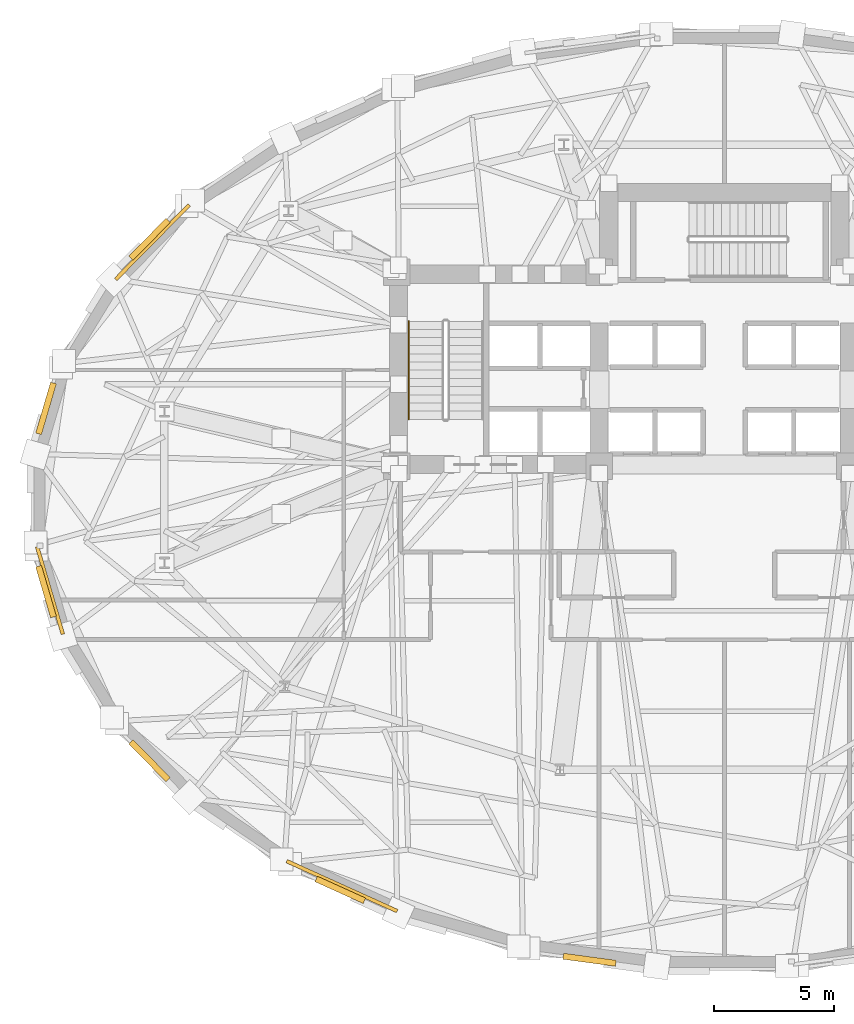
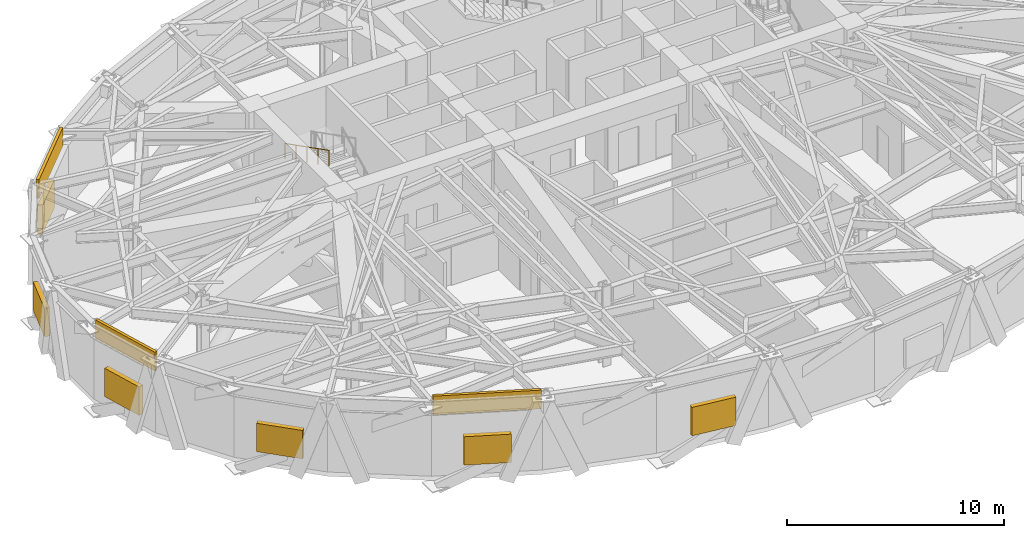
# One storey, part 11 of 14: 6 shading devices, 3 coverings, 1 railing.
"""IFC4 building model written with IfcOpenShell, lengths in metres."""

import ifcopenshell
import ifcopenshell.guid

model = None  # the IFC model being written
_history = None  # IfcOwnerHistory: only IFC2X3 demands one
_inside = {}  # id of a spatial element -> (the spatial element, [elements in it])
_under = {}  # id of a project, library or spatial element -> (it, [spatial elements below it])
_declared = {}  # id of a project -> (the project, [libraries it declares])
_typed = {}  # id of a type object -> (the type object, [elements of that type])
_made_of = {}  # id of a material, layer set ... -> (it, [elements and type objects made of it])


def new_model(schema):
    """Start an empty IFC model of exactly this schema.

    Asked for "IFC4X3", IfcOpenShell would pick the latest addendum, in which some entities
    have other attributes; the version numbers below select the first issue.
    IFC2X3 requires an IfcOwnerHistory on every rooted entity: one is made here for all.
    """
    global model, _history
    if schema == "IFC4X3":
        model = ifcopenshell.file(schema_version=(4, 3, 0, 0))
    else:
        model = ifcopenshell.file(schema=schema)
    _inside.clear()
    _under.clear()
    _declared.clear()
    _typed.clear()
    _made_of.clear()
    _history = None
    if model.schema == "IFC2X3":
        org = make("IfcOrganization", Name="unknown")
        user = make(
            "IfcPersonAndOrganization",
            ThePerson=make("IfcPerson", FamilyName="unknown"),
            TheOrganization=org,
        )
        app = make(
            "IfcApplication",
            ApplicationDeveloper=org,
            Version="unknown",
            ApplicationFullName="unknown",
            ApplicationIdentifier="unknown",
        )
        _history = make(
            "IfcOwnerHistory",
            OwningUser=user,
            OwningApplication=app,
            ChangeAction="ADDED",
            CreationDate=0,
        )
    return model


def make(cls, **values):
    """One entity of the class cls with the attributes given. An attribute that is None is left unset."""
    return model.create_entity(
        cls, **{name: value for name, value in values.items() if value is not None}
    )


def rooted(cls, **values):
    """An entity with a GlobalId (a new one), such as an element, a storey or a relation."""
    return make(cls, GlobalId=ifcopenshell.guid.new(), OwnerHistory=_history, **values)


def si_unit(unit_type, name, prefix=None):
    """IfcSIUnit, for example si_unit("LENGTHUNIT", "METRE", prefix="MILLI")."""
    return make("IfcSIUnit", UnitType=unit_type, Prefix=prefix, Name=name)


def assignment(units):
    """IfcUnitAssignment: the units of a project."""
    return None if units is None else make("IfcUnitAssignment", Units=units)


def point(xyz):
    """IfcCartesianPoint."""
    return None if xyz is None else make("IfcCartesianPoint", Coordinates=xyz)


def direction(xyz):
    """IfcDirection."""
    return None if xyz is None else make("IfcDirection", DirectionRatios=xyz)


def frame(location, z_axis=None, x_axis=None):
    """IfcAxis2Placement3D, a coordinate frame: its origin and axes. An axis left out is left unset."""
    return make(
        "IfcAxis2Placement3D",
        Location=point(location),
        Axis=direction(z_axis),
        RefDirection=direction(x_axis),
    )


def frame_2d(location, x_axis=None):
    """IfcAxis2Placement2D, a coordinate frame in the plane: its origin and x axis."""
    return make(
        "IfcAxis2Placement2D", Location=point(location), RefDirection=direction(x_axis)
    )


def origin():
    """The frame at (0, 0, 0) with its axes left unset."""
    return frame((0.0, 0.0, 0.0))


def origin_2d():
    """The frame at (0, 0) in the plane with its x axis left unset."""
    return frame_2d((0.0, 0.0))


def place(relative_to, where):
    """IfcLocalPlacement: puts the frame where relative to a parent placement (None: the world)."""
    return make(
        "IfcLocalPlacement", PlacementRelTo=relative_to, RelativePlacement=where
    )


def context(
    kind, dimensions, precision=None, world=None, true_north=None, identifier=None
):
    """IfcGeometricRepresentationContext, for example the 3D "Model" context."""
    return make(
        "IfcGeometricRepresentationContext",
        ContextIdentifier=identifier,
        ContextType=kind,
        CoordinateSpaceDimension=dimensions,
        Precision=precision,
        WorldCoordinateSystem=world,
        TrueNorth=true_north,
    )


def subcontext(parent, identifier, kind, view, scale=None):
    """IfcGeometricRepresentationSubContext, for example "Body" below "Model"."""
    return make(
        "IfcGeometricRepresentationSubContext",
        ContextIdentifier=identifier,
        ContextType=kind,
        ParentContext=parent,
        TargetScale=scale,
        TargetView=view,
    )


def project(units=None, contexts=None):
    """IfcProject with its units and contexts."""
    return rooted(
        "IfcProject",
        Name="project",
        RepresentationContexts=contexts,
        UnitsInContext=assignment(units),
    )


def spatial(cls, under=None, at=None, **own):
    """A site, building, storey or space (cls), placed at a placement, below another one or the project."""
    s = rooted(cls, ObjectPlacement=at, **own)
    if under is not None:
        _under.setdefault(under.id(), (under, []))[1].append(s)
    return s


def profile(cls, at=None, kind="AREA", **sizes):
    """A parametric profile (cls). Its sizes go by their IFC names, for example OverallWidth=200.0."""
    return make(cls, ProfileType=kind, Position=at, **sizes)


def rectangle(**sizes):
    """IfcRectangleProfileDef."""
    return profile("IfcRectangleProfileDef", **sizes)


def circle(**sizes):
    """IfcCircleProfileDef."""
    return profile("IfcCircleProfileDef", **sizes)


def extrude(swept, where, along, depth):
    """IfcExtrudedAreaSolid: the profile swept, set in the frame where, extruded along a direction by depth."""
    return make(
        "IfcExtrudedAreaSolid",
        SweptArea=swept,
        Position=where,
        ExtrudedDirection=direction(along),
        Depth=depth,
    )


def shape(context_of_items, identifier, shape_type, items):
    """IfcShapeRepresentation: the items that make up one representation, for example the "Body"."""
    return make(
        "IfcShapeRepresentation",
        ContextOfItems=context_of_items,
        RepresentationIdentifier=identifier,
        RepresentationType=shape_type,
        Items=items,
    )


def material(Name=None, Category=None):
    """IfcMaterial."""
    return make("IfcMaterial", Name=Name, Category=Category)


def layer(
    of_material, thickness, ventilated=None, Name=None, Category=None, Priority=None
):
    """IfcMaterialLayer: one layer of a wall or slab, of a material (None: an air gap)."""
    return make(
        "IfcMaterialLayer",
        Material=of_material,
        LayerThickness=thickness,
        IsVentilated=ventilated,
        Name=Name,
        Category=Category,
        Priority=Priority,
    )


def layer_set(layers, Name=None):
    """IfcMaterialLayerSet."""
    return make("IfcMaterialLayerSet", MaterialLayers=layers, LayerSetName=Name)


def made_of(thing, what):
    """Note that an element or type object is made of a material, layer set ...; save() writes the relation."""
    if what is not None:
        _made_of.setdefault(what.id(), (what, []))[1].append(thing)
    return thing


def type_object(cls, material=None, **own):
    """A type object (cls), such as IfcWallType, which elements share."""
    return made_of(rooted(cls, **own), material)


def element(
    cls,
    number,
    at=None,
    inside=None,
    cuts=None,
    type_object=None,
    material=None,
    context=None,
    identifier="Body",
    shape_type=None,
    held_by="IfcProductDefinitionShape",
    body=None,
    shapes=None,
    **own,
):
    """One element of the class cls, such as IfcWall. Its Tag is "e" and its number.

    at: its placement. inside: the storey or other place that contains it. cuts: it is an
    opening in that element (IfcRelVoidsElement). A single representation is given by context,
    identifier, shape_type and body (its items); several are given by shapes. held_by: the class
    of the entity that holds the representations. save() writes the other relations.
    """
    e = rooted(cls, Tag="e%d" % number, ObjectPlacement=at, **own)
    if body is not None:
        shapes = [shape(context, identifier, shape_type, body)]
    if shapes is not None:
        e.Representation = make(held_by, Representations=shapes)
    if inside is not None:
        _inside.setdefault(inside.id(), (inside, []))[1].append(e)
    if cuts is not None:
        rooted(
            "IfcRelVoidsElement", RelatingBuildingElement=cuts, RelatedOpeningElement=e
        )
    if type_object is not None:
        _typed.setdefault(type_object.id(), (type_object, []))[1].append(e)
    return made_of(e, material)


def aggregate(whole, parts):
    """IfcRelAggregates: a whole, such as a stair, and the parts it consists of."""
    return rooted("IfcRelAggregates", RelatingObject=whole, RelatedObjects=parts)


def save(model, path):
    """Write the relations noted so far, then the file.

    IfcRelAggregates (storeys below a building ...), IfcRelContainedInSpatialStructure (elements
    in a storey), IfcRelDefinesByType, IfcRelAssociatesMaterial and IfcRelDeclares: one each for
    every whole, place, type object, material and project.
    """
    for whole, parts in _under.values():
        aggregate(whole, parts)
    for where, things in _inside.values():
        rooted(
            "IfcRelContainedInSpatialStructure",
            RelatedElements=things,
            RelatingStructure=where,
        )
    for kind, things in _typed.values():
        rooted("IfcRelDefinesByType", RelatedObjects=things, RelatingType=kind)
    for what, things in _made_of.values():
        rooted("IfcRelAssociatesMaterial", RelatedObjects=things, RelatingMaterial=what)
    for by, libraries in _declared.values():
        rooted("IfcRelDeclares", RelatingContext=by, RelatedDefinitions=libraries)
    model.write(path)


model = new_model("IFC4")

# Units and contexts
model_context = context("Model", 3, precision=1e-05, world=origin(), true_north=direction((0.0, 1.0)))
body_context = subcontext(model_context, "Body", "Model", "MODEL_VIEW")
ifc_project = project(units=[si_unit("LENGTHUNIT", "METRE"), si_unit("AREAUNIT", "SQUARE_METRE"), si_unit("VOLUMEUNIT", "CUBIC_METRE"), si_unit("PLANEANGLEUNIT", "RADIAN"), si_unit("MASSUNIT", "GRAM", prefix="KILO")], contexts=[model_context])

# Site, building, storey
site_placement = place(None, origin())
site = spatial("IfcSite", under=ifc_project, at=site_placement, CompositionType="ELEMENT")
building_placement = place(site_placement, origin())
building = spatial("IfcBuilding", under=site, at=building_placement, Name="Keldmark Tower", CompositionType="ELEMENT")
storey_placement = place(building_placement, frame((0.0, 0.0, 77.39990234375)))
storey = spatial("IfcBuildingStorey", under=building, at=storey_placement, Name="L20", CompositionType="ELEMENT", Elevation=77.39990234375)

# Coverings
ifc_material_1 = material(Name="Honed Kasota Buff Dolomitic Limestone", Category="masonry")
ifc_layer = layer(ifc_material_1, 0.074951171875)
ifc_layer_set = layer_set([ifc_layer], Name="Honed Kasota Buff Dolomitic Limestone")
covering_type = type_object("IfcCoveringType", Name="Kasota Buff Limestone Spandrel Cladding Band", PredefinedType="CLADDING", material=ifc_layer_set)
covering_1_placement = place(storey_placement, frame((-23.752685546875, 10.704345703125, 3.422119140625), z_axis=(0.0, 0.0, 1.0), x_axis=(-0.70240155419, -0.711780904964, 0.0)))
element("IfcCovering", 1, at=covering_1_placement, inside=storey, type_object=covering_type, Name="L20 Kasota Limestone Spandrel Band 13", PredefinedType="CLADDING", context=body_context, shape_type="SweptSolid", body=[
    extrude(rectangle(XDim=4.345458984375, YDim=0.14990234375, at=origin_2d()), origin(), (0.0, 0.0, 1.0), 1.05810546875),
])
covering_2_placement = place(storey_placement, frame((-28.0048828125, -3.7548828125, 3.422119140625), z_axis=(0.0, 0.0, 1.0), x_axis=(0.281855868263, -0.959456757507, 0.0)))
element("IfcCovering", 2, at=covering_2_placement, inside=storey, type_object=covering_type, Name="L20 Kasota Limestone Spandrel Band 17", PredefinedType="CLADDING", context=body_context, shape_type="SweptSolid", body=[
    extrude(rectangle(XDim=3.78759765625, YDim=0.14990234375, at=origin_2d()), origin(), (0.0, 0.0, 1.0), 1.05810546875),
])
covering_3_placement = place(storey_placement, frame((-15.8779296875, -16.035400390625, 3.422119140625), z_axis=(0.0, 0.0, 1.0), x_axis=(0.911094181936, -0.412198243134, 0.0)))
element("IfcCovering", 3, at=covering_3_placement, inside=storey, type_object=covering_type, Name="L20 Kasota Limestone Spandrel Band 21", PredefinedType="CLADDING", context=body_context, shape_type="SweptSolid", body=[
    extrude(rectangle(XDim=5.032470703125, YDim=0.14990234375, at=origin_2d()), origin(), (0.0, 0.0, 1.0), 1.05810546875),
])

# Shading devices
ifc_material_2 = material(Name="Fluoropolymer-Coated Extruded Aluminum Stormproof Blades", Category="aluminium")
shading_device_type = type_object("IfcShadingDeviceType", Name="Mechanical Floor Acoustic Intake Louvre", PredefinedType="JALOUSIE", material=ifc_material_2)
for number, where, z_axis, x_axis, name in (
    (4, (-23.873779296875, 10.823486328125, 0.650146484375), (0.0, 0.0, 1.0), (-0.70240155419, -0.711780904964, 0.0), "L20 Acoustic Stormproof Louvre 13"),
    (5, (-28.168212890625, 3.802978515625, 0.650146484375), (0.0, 0.0, 1.0), (-0.281855868263, -0.959456757507, 0.0), "L20 Acoustic Stormproof Louvre 15"),
    (6, (-28.168212890625, -3.802978515625, 0.650146484375), (0.0, 0.0, 1.0), (0.281855868263, -0.959456757507, 0.0), "L20 Acoustic Stormproof Louvre 17"),
    (7, (-23.873779296875, -10.823486328125, 0.650146484375), (0.0, 0.0, 1.0), (0.70240155419, -0.711780904964, 0.0), "L20 Acoustic Stormproof Louvre 19"),
    (8, (-15.947998046875, -16.190185546875, 0.650146484375), (0.0, 0.0, 1.0), (0.911094181936, -0.412198243134, 0.0), "L20 Acoustic Stormproof Louvre 21"),
    (9, (-5.599609375, -19.0927734375, 0.650146484375), (0.0, 0.0, 1.0), (0.991050889278, -0.133484586607, 0.0), "L20 Acoustic Stormproof Louvre 23"),
):
    element("IfcShadingDevice", number, at=place(storey_placement, frame(where, z_axis=z_axis, x_axis=x_axis)), inside=storey, type_object=shading_device_type, Name=name, PredefinedType="JALOUSIE", context=body_context, shape_type="SweptSolid", body=[
        extrude(rectangle(XDim=2.199951171875, YDim=0.25, at=origin_2d()), origin(), (0.0, 0.0, 1.0), 1.60009765625),
    ])

# Railing
ifc_material_3 = material(Name="Stainless Steel AISI 316L", Category="steel")
railing_type = type_object("IfcRailingType", Name="Stainless Steel Stair Handrail 900 mm", PredefinedType="HANDRAIL", material=ifc_material_3)
railing_placement = place(storey_placement, frame((-13.10009765625, 7.429931640625, 2.423095703125)))
element("IfcRailing", 10, at=railing_placement, inside=storey, type_object=railing_type, Name="L20 ST1 stair handrail 2", PredefinedType="HANDRAIL", context=body_context, shape_type="SweptSolid", body=[
    extrude(circle(Radius=0.02392578125, at=origin_2d()), frame((0.0, 0.0, 0.8759765625), z_axis=(0.0, -0.891172131844, 0.453665329759), x_axis=(1.0, 0.0, 0.0)), (0.0, 0.0, 1.0), 4.578125),
    extrude(circle(Radius=0.02099609375, at=origin_2d()), origin(), (0.0, 0.0, 1.0), 0.851806640625),
    extrude(circle(Radius=0.02099609375, at=origin_2d()), frame((0.0, -1.02001953125, 0.519287109375)), (0.0, 0.0, 1.0), 0.851806640625),
    extrude(circle(Radius=0.02099609375, at=origin_2d()), frame((0.0, -2.0400390625, 1.03857421875)), (0.0, 0.0, 1.0), 0.851806640625),
    extrude(circle(Radius=0.02099609375, at=origin_2d()), frame((0.0, -3.059814453125, 1.5576171875)), (0.0, 0.0, 1.0), 0.851806640625),
    extrude(circle(Radius=0.02099609375, at=origin_2d()), frame((0.0, -4.079833984375, 2.076904296875)), (0.0, 0.0, 1.0), 0.851806640625),
])

save(model, "model.ifc")
